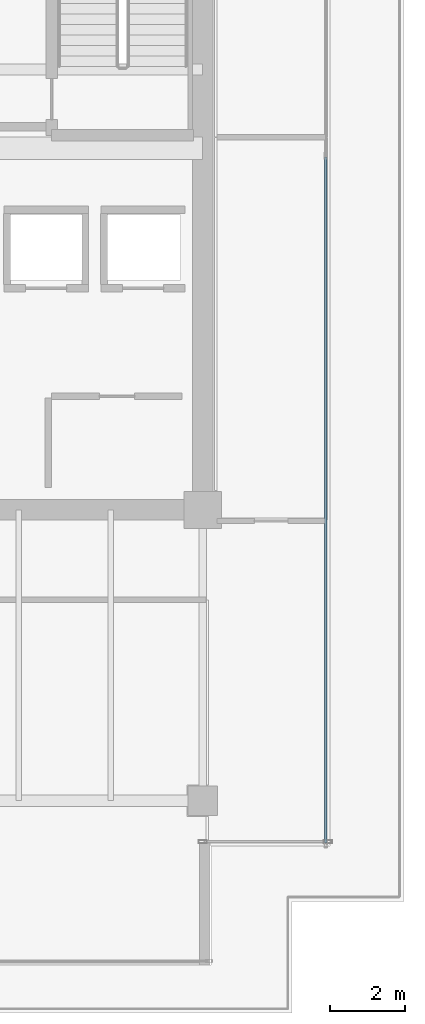
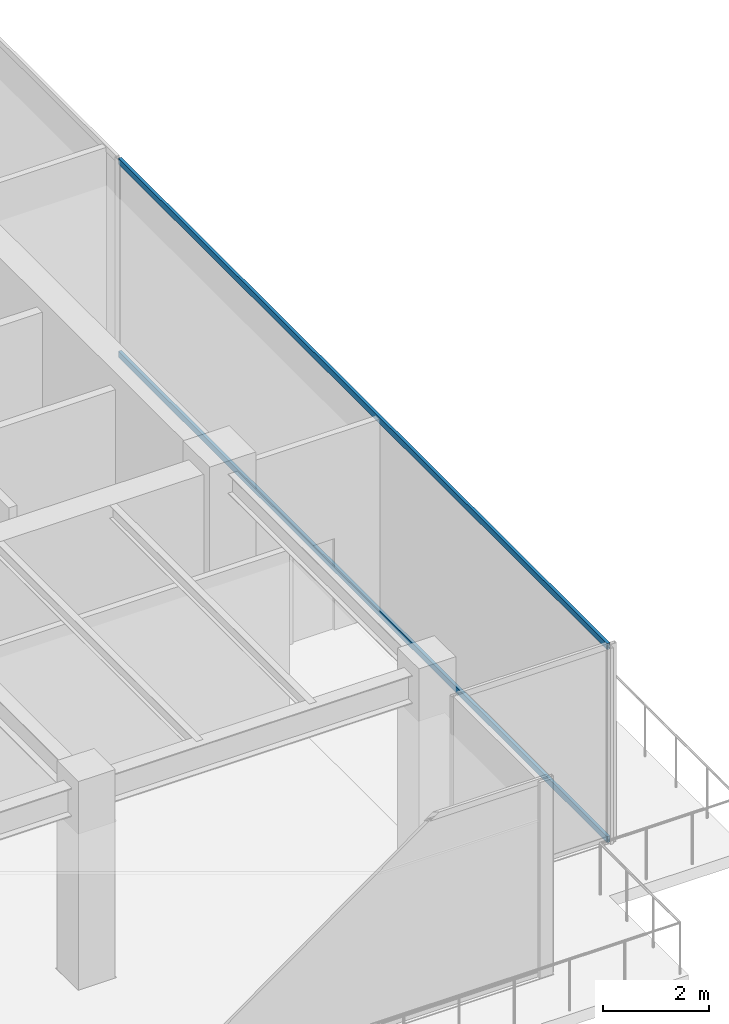
# One storey, part 23 of 37: 2 members, 1 element without a shape of its own.
"""IFC4 building model written with IfcOpenShell, lengths in metres."""

from ifc_helpers import new_model, si_unit, direction, frame, origin, origin_2d, place, context, subcontext, project, spatial, hollow_rectangle, extrude, source, transform, mapped, material, layer, layer_set, material_profile, profile_set, type_object, type_shapes, element, aggregate, save


model = new_model("IFC4")

# Units and contexts
model_context = context("Model", 3, precision=1e-05, world=origin(), true_north=direction((0.0, 1.0)))
body_context = subcontext(model_context, "Body", "Model", "MODEL_VIEW")
ifc_project = project(units=[si_unit("LENGTHUNIT", "METRE"), si_unit("AREAUNIT", "SQUARE_METRE"), si_unit("VOLUMEUNIT", "CUBIC_METRE"), si_unit("PLANEANGLEUNIT", "RADIAN"), si_unit("MASSUNIT", "GRAM", prefix="KILO")], contexts=[model_context])

# Site, building, storey
site_placement = place(None, origin())
site = spatial("IfcSite", under=ifc_project, at=site_placement, CompositionType="ELEMENT")
building_placement = place(site_placement, origin())
building = spatial("IfcBuilding", under=site, at=building_placement, Name="Haelvirn Gate Laboratories", CompositionType="ELEMENT")
storey_placement = place(building_placement, frame((0.0, 0.0, 196.60009765625)))
storey = spatial("IfcBuildingStorey", under=building, at=storey_placement, Name="L47", CompositionType="ELEMENT", Elevation=196.60009765625)

# Curtain wall, members
ifc_material_1 = material(Name="Anodised bronze unitised aluminium & triple low-E glass", Category="aluminium")
ifc_layer = layer(ifc_material_1, 0.176025390625, Name="CW-SYS-4")
ifc_layer_set = layer_set([ifc_layer], Name="Anodised bronze unitised aluminium & triple low-E glass")
curtain_wall_type = type_object("IfcCurtainWallType", Name="CW-SYS-4", PredefinedType="NOTDEFINED", material=ifc_layer_set)
curtain_wall_placement = place(storey_placement, origin())
curtain_wall = element("IfcCurtainWall", 1, at=curtain_wall_placement, inside=storey, type_object=curtain_wall_type, Name="L47 Unitised Curtain Wall CW-L47-P0-E07", PredefinedType="NOTDEFINED")
ifc_material_2 = material(Name="Extruded aluminium 6063-T6 (anodised bronze)", Category="aluminium")
ifc_material_profile = material_profile(ifc_material_2, hollow_rectangle(XDim=0.06494140625, YDim=0.139892578125, WallThickness=0.00390625, at=origin_2d()), Name="CWT-140x65x4")
ifc_profile_set = profile_set([ifc_material_profile], Name="Extruded aluminium 6063-T6 (anodised bronze)")
member_type = type_object("IfcMemberType", Name="CWT-T140", PredefinedType="USERDEFINED", material=ifc_profile_set)
shared_shape = source(origin(), body_context, "Body", "SweptSolid", [
    extrude(hollow_rectangle(XDim=0.06494140625, YDim=0.139892578125, WallThickness=0.00390625, at=origin_2d()), origin(), (0.0, 0.0, 1.0), 18.394775390625),
])
type_shapes(member_type, [shared_shape])
member_1_placement = place(storey_placement, frame((70.699951171875, 5.8701171875, 0.032470703125), z_axis=(0.0, 1.0, 0.0), x_axis=(-1.0, 0.0, 0.0)))
member_1 = element("IfcMember", 2, at=member_1_placement, type_object=member_type, Name="CW4 transom 1.1", ObjectType="TRANSOM", PredefinedType="USERDEFINED", context=body_context, shape_type="MappedRepresentation", body=[
    mapped(shared_shape, transform((0.0, 0.0, 0.0), scale=1.0)),
])
member_2_placement = place(storey_placement, frame((70.699951171875, 5.8701171875, 4.46728515625), z_axis=(0.0, 1.0, 0.0), x_axis=(-1.0, 0.0, 0.0)))
member_2 = element("IfcMember", 3, at=member_2_placement, type_object=member_type, Name="CW4 transom 1.2", ObjectType="TRANSOM", PredefinedType="USERDEFINED", context=body_context, shape_type="MappedRepresentation", body=[
    mapped(shared_shape, transform((0.0, 0.0, 0.0), scale=1.0)),
])
aggregate(curtain_wall, [member_1, member_2])

save(model, "model.ifc")
